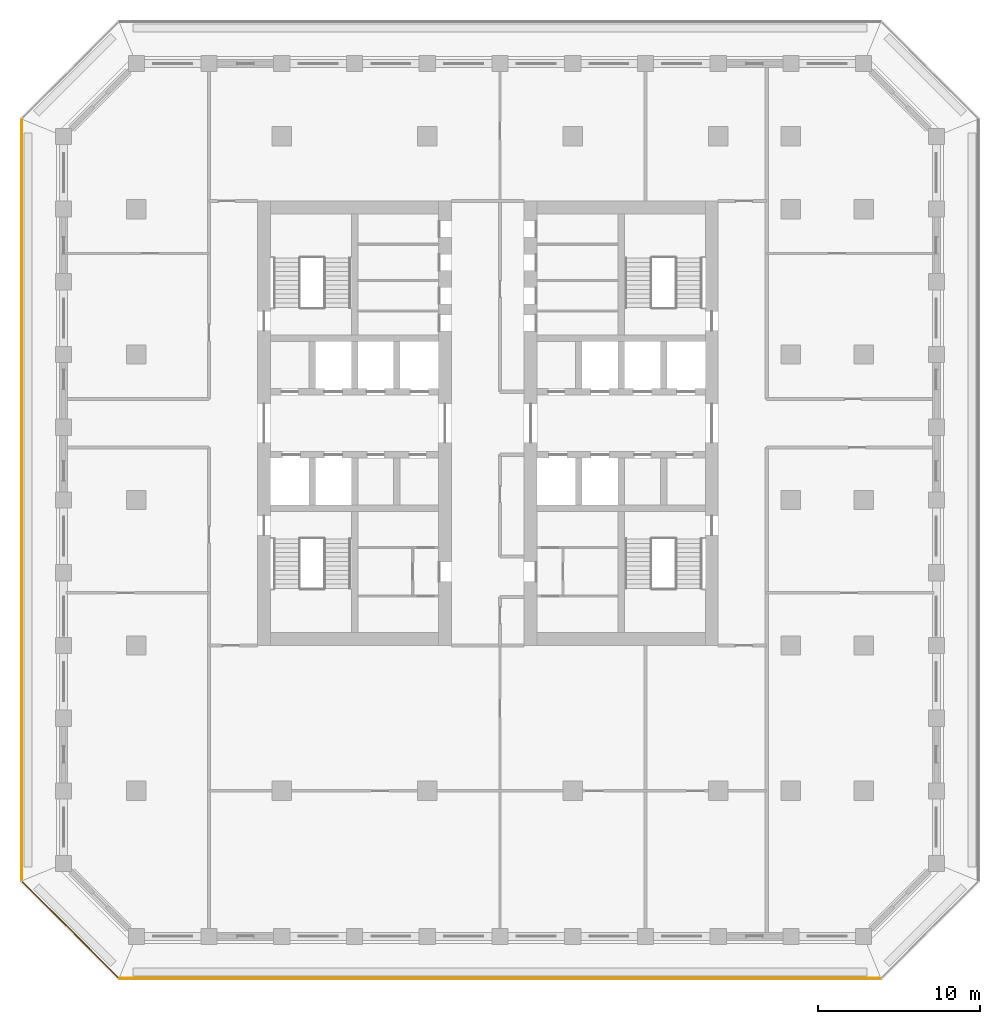
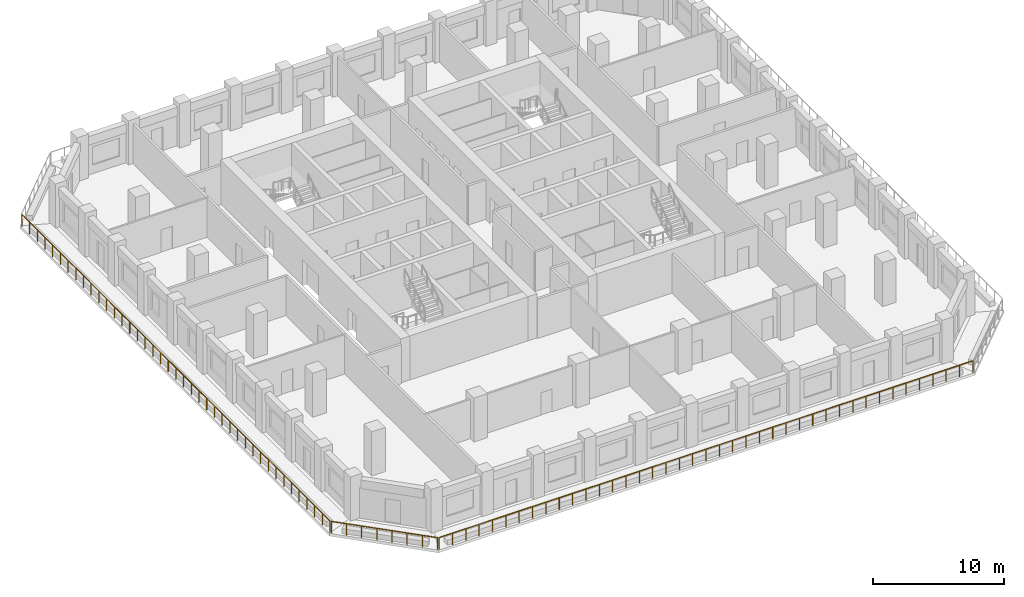
# One storey, part 9 of 16: 3 railings.
"""IFC4 building model written with IfcOpenShell, lengths in metres."""

from ifc_helpers import new_model, si_unit, direction, frame, origin, origin_2d, place, context, subcontext, project, spatial, circle, extrude, material, type_object, element, save


model = new_model("IFC4")

# Units and contexts
model_context = context("Model", 3, precision=1e-05, world=origin(), true_north=direction((0.0, 1.0)))
body_context = subcontext(model_context, "Body", "Model", "MODEL_VIEW")
ifc_project = project(units=[si_unit("LENGTHUNIT", "METRE"), si_unit("AREAUNIT", "SQUARE_METRE"), si_unit("VOLUMEUNIT", "CUBIC_METRE"), si_unit("PLANEANGLEUNIT", "RADIAN"), si_unit("MASSUNIT", "GRAM", prefix="KILO")], contexts=[model_context])

# Site, building, storey
site_placement = place(None, origin())
site = spatial("IfcSite", under=ifc_project, at=site_placement, CompositionType="ELEMENT")
building_placement = place(site_placement, origin())
building = spatial("IfcBuilding", under=site, at=building_placement, Name="Corbel Stack Research Tower", CompositionType="ELEMENT")
storey_placement = place(building_placement, frame((0.0, 0.0, 195.60009765625)))
storey = spatial("IfcBuildingStorey", under=building, at=storey_placement, Name="L44", CompositionType="ELEMENT", Elevation=195.60009765625)

# Railings
ifc_material = material(Name="Powder-coated steel guard", Category="steel")
railing_type = type_object("IfcRailingType", Name="Steel and glass guard 1100", PredefinedType="GUARDRAIL", material=ifc_material)
railing_1_placement = place(storey_placement, frame((-19.00537109375, -29.60009765625, 0.0)))
element("IfcRailing", 1, at=railing_1_placement, inside=storey, type_object=railing_type, Name="Loggia guard L44 S", PredefinedType="GUARDRAIL", context=body_context, shape_type="SweptSolid", body=[
    extrude(circle(Radius=0.02392578125, at=origin_2d()), frame((0.0, 0.0, 1.076171875), z_axis=(1.0, 0.0, 0.0), x_axis=(0.0, 1.0, 0.0)), (0.0, 0.0, 1.0), 47.0107421875),
    extrude(circle(Radius=0.02099609375, at=origin_2d()), origin(), (0.0, 0.0, 1.0), 1.052001953125),
    extrude(circle(Radius=0.02099609375, at=origin_2d()), frame((1.17529296875, 0.0, 0.0)), (0.0, 0.0, 1.0), 1.052001953125),
    extrude(circle(Radius=0.02099609375, at=origin_2d()), frame((2.3505859375, 0.0, 0.0)), (0.0, 0.0, 1.0), 1.052001953125),
    extrude(circle(Radius=0.02099609375, at=origin_2d()), frame((3.52587890625, 0.0, 0.0)), (0.0, 0.0, 1.0), 1.052001953125),
    extrude(circle(Radius=0.02099609375, at=origin_2d()), frame((4.701171875, 0.0, 0.0)), (0.0, 0.0, 1.0), 1.052001953125),
    extrude(circle(Radius=0.02099609375, at=origin_2d()), frame((5.87646484375, 0.0, 0.0)), (0.0, 0.0, 1.0), 1.052001953125),
    extrude(circle(Radius=0.02099609375, at=origin_2d()), frame((7.051513671875, 0.0, 0.0)), (0.0, 0.0, 1.0), 1.052001953125),
    extrude(circle(Radius=0.02099609375, at=origin_2d()), frame((8.226806640625, 0.0, 0.0)), (0.0, 0.0, 1.0), 1.052001953125),
    extrude(circle(Radius=0.02099609375, at=origin_2d()), frame((9.402099609375, 0.0, 0.0)), (0.0, 0.0, 1.0), 1.052001953125),
    extrude(circle(Radius=0.02099609375, at=origin_2d()), frame((10.577392578125, 0.0, 0.0)), (0.0, 0.0, 1.0), 1.052001953125),
    extrude(circle(Radius=0.02099609375, at=origin_2d()), frame((11.752685546875, 0.0, 0.0)), (0.0, 0.0, 1.0), 1.052001953125),
    extrude(circle(Radius=0.02099609375, at=origin_2d()), frame((12.927978515625, 0.0, 0.0)), (0.0, 0.0, 1.0), 1.052001953125),
    extrude(circle(Radius=0.02099609375, at=origin_2d()), frame((14.103271484375, 0.0, 0.0)), (0.0, 0.0, 1.0), 1.052001953125),
    extrude(circle(Radius=0.02099609375, at=origin_2d()), frame((15.278564453125, 0.0, 0.0)), (0.0, 0.0, 1.0), 1.052001953125),
    extrude(circle(Radius=0.02099609375, at=origin_2d()), frame((16.453857421875, 0.0, 0.0)), (0.0, 0.0, 1.0), 1.052001953125),
    extrude(circle(Radius=0.02099609375, at=origin_2d()), frame((17.62890625, 0.0, 0.0)), (0.0, 0.0, 1.0), 1.052001953125),
    extrude(circle(Radius=0.02099609375, at=origin_2d()), frame((18.80419921875, 0.0, 0.0)), (0.0, 0.0, 1.0), 1.052001953125),
    extrude(circle(Radius=0.02099609375, at=origin_2d()), frame((19.9794921875, 0.0, 0.0)), (0.0, 0.0, 1.0), 1.052001953125),
    extrude(circle(Radius=0.02099609375, at=origin_2d()), frame((21.15478515625, 0.0, 0.0)), (0.0, 0.0, 1.0), 1.052001953125),
    extrude(circle(Radius=0.02099609375, at=origin_2d()), frame((22.330078125, 0.0, 0.0)), (0.0, 0.0, 1.0), 1.052001953125),
    extrude(circle(Radius=0.02099609375, at=origin_2d()), frame((23.50537109375, 0.0, 0.0)), (0.0, 0.0, 1.0), 1.052001953125),
    extrude(circle(Radius=0.02099609375, at=origin_2d()), frame((24.6806640625, 0.0, 0.0)), (0.0, 0.0, 1.0), 1.052001953125),
    extrude(circle(Radius=0.02099609375, at=origin_2d()), frame((25.85595703125, 0.0, 0.0)), (0.0, 0.0, 1.0), 1.052001953125),
    extrude(circle(Radius=0.02099609375, at=origin_2d()), frame((27.03125, 0.0, 0.0)), (0.0, 0.0, 1.0), 1.052001953125),
    extrude(circle(Radius=0.02099609375, at=origin_2d()), frame((28.20654296875, 0.0, 0.0)), (0.0, 0.0, 1.0), 1.052001953125),
    extrude(circle(Radius=0.02099609375, at=origin_2d()), frame((29.3818359375, 0.0, 0.0)), (0.0, 0.0, 1.0), 1.052001953125),
    extrude(circle(Radius=0.02099609375, at=origin_2d()), frame((30.556884765625, 0.0, 0.0)), (0.0, 0.0, 1.0), 1.052001953125),
    extrude(circle(Radius=0.02099609375, at=origin_2d()), frame((31.732177734375, 0.0, 0.0)), (0.0, 0.0, 1.0), 1.052001953125),
    extrude(circle(Radius=0.02099609375, at=origin_2d()), frame((32.907470703125, 0.0, 0.0)), (0.0, 0.0, 1.0), 1.052001953125),
    extrude(circle(Radius=0.02099609375, at=origin_2d()), frame((34.082763671875, 0.0, 0.0)), (0.0, 0.0, 1.0), 1.052001953125),
    extrude(circle(Radius=0.02099609375, at=origin_2d()), frame((35.258056640625, 0.0, 0.0)), (0.0, 0.0, 1.0), 1.052001953125),
    extrude(circle(Radius=0.02099609375, at=origin_2d()), frame((36.433349609375, 0.0, 0.0)), (0.0, 0.0, 1.0), 1.052001953125),
    extrude(circle(Radius=0.02099609375, at=origin_2d()), frame((37.608642578125, 0.0, 0.0)), (0.0, 0.0, 1.0), 1.052001953125),
    extrude(circle(Radius=0.02099609375, at=origin_2d()), frame((38.783935546875, 0.0, 0.0)), (0.0, 0.0, 1.0), 1.052001953125),
    extrude(circle(Radius=0.02099609375, at=origin_2d()), frame((39.959228515625, 0.0, 0.0)), (0.0, 0.0, 1.0), 1.052001953125),
    extrude(circle(Radius=0.02099609375, at=origin_2d()), frame((41.13427734375, 0.0, 0.0)), (0.0, 0.0, 1.0), 1.052001953125),
    extrude(circle(Radius=0.02099609375, at=origin_2d()), frame((42.3095703125, 0.0, 0.0)), (0.0, 0.0, 1.0), 1.052001953125),
    extrude(circle(Radius=0.02099609375, at=origin_2d()), frame((43.48486328125, 0.0, 0.0)), (0.0, 0.0, 1.0), 1.052001953125),
    extrude(circle(Radius=0.02099609375, at=origin_2d()), frame((44.66015625, 0.0, 0.0)), (0.0, 0.0, 1.0), 1.052001953125),
    extrude(circle(Radius=0.02099609375, at=origin_2d()), frame((45.83544921875, 0.0, 0.0)), (0.0, 0.0, 1.0), 1.052001953125),
    extrude(circle(Radius=0.02099609375, at=origin_2d()), frame((47.0107421875, 0.0, 0.0)), (0.0, 0.0, 1.0), 1.052001953125),
])
railing_2_placement = place(storey_placement, frame((-25.10009765625, 23.50537109375, 0.0)))
element("IfcRailing", 2, at=railing_2_placement, inside=storey, type_object=railing_type, Name="Loggia guard L44 W", PredefinedType="GUARDRAIL", context=body_context, shape_type="SweptSolid", body=[
    extrude(circle(Radius=0.02392578125, at=origin_2d()), frame((0.0, 0.0, 1.076171875), z_axis=(0.0, -1.0, 0.0), x_axis=(1.0, 0.0, 0.0)), (0.0, 0.0, 1.0), 47.0107421875),
    extrude(circle(Radius=0.02099609375, at=origin_2d()), origin(), (0.0, 0.0, 1.0), 1.052001953125),
    extrude(circle(Radius=0.02099609375, at=origin_2d()), frame((0.0, -1.17529296875, 0.0)), (0.0, 0.0, 1.0), 1.052001953125),
    extrude(circle(Radius=0.02099609375, at=origin_2d()), frame((0.0, -2.3505859375, 0.0)), (0.0, 0.0, 1.0), 1.052001953125),
    extrude(circle(Radius=0.02099609375, at=origin_2d()), frame((0.0, -3.52587890625, 0.0)), (0.0, 0.0, 1.0), 1.052001953125),
    extrude(circle(Radius=0.02099609375, at=origin_2d()), frame((0.0, -4.701171875, 0.0)), (0.0, 0.0, 1.0), 1.052001953125),
    extrude(circle(Radius=0.02099609375, at=origin_2d()), frame((0.0, -5.87646484375, 0.0)), (0.0, 0.0, 1.0), 1.052001953125),
    extrude(circle(Radius=0.02099609375, at=origin_2d()), frame((0.0, -7.051513671875, 0.0)), (0.0, 0.0, 1.0), 1.052001953125),
    extrude(circle(Radius=0.02099609375, at=origin_2d()), frame((0.0, -8.226806640625, 0.0)), (0.0, 0.0, 1.0), 1.052001953125),
    extrude(circle(Radius=0.02099609375, at=origin_2d()), frame((0.0, -9.402099609375, 0.0)), (0.0, 0.0, 1.0), 1.052001953125),
    extrude(circle(Radius=0.02099609375, at=origin_2d()), frame((0.0, -10.577392578125, 0.0)), (0.0, 0.0, 1.0), 1.052001953125),
    extrude(circle(Radius=0.02099609375, at=origin_2d()), frame((0.0, -11.752685546875, 0.0)), (0.0, 0.0, 1.0), 1.052001953125),
    extrude(circle(Radius=0.02099609375, at=origin_2d()), frame((0.0, -12.927978515625, 0.0)), (0.0, 0.0, 1.0), 1.052001953125),
    extrude(circle(Radius=0.02099609375, at=origin_2d()), frame((0.0, -14.103271484375, 0.0)), (0.0, 0.0, 1.0), 1.052001953125),
    extrude(circle(Radius=0.02099609375, at=origin_2d()), frame((0.0, -15.278564453125, 0.0)), (0.0, 0.0, 1.0), 1.052001953125),
    extrude(circle(Radius=0.02099609375, at=origin_2d()), frame((0.0, -16.453857421875, 0.0)), (0.0, 0.0, 1.0), 1.052001953125),
    extrude(circle(Radius=0.02099609375, at=origin_2d()), frame((0.0, -17.62890625, 0.0)), (0.0, 0.0, 1.0), 1.052001953125),
    extrude(circle(Radius=0.02099609375, at=origin_2d()), frame((0.0, -18.80419921875, 0.0)), (0.0, 0.0, 1.0), 1.052001953125),
    extrude(circle(Radius=0.02099609375, at=origin_2d()), frame((0.0, -19.9794921875, 0.0)), (0.0, 0.0, 1.0), 1.052001953125),
    extrude(circle(Radius=0.02099609375, at=origin_2d()), frame((0.0, -21.15478515625, 0.0)), (0.0, 0.0, 1.0), 1.052001953125),
    extrude(circle(Radius=0.02099609375, at=origin_2d()), frame((0.0, -22.330078125, 0.0)), (0.0, 0.0, 1.0), 1.052001953125),
    extrude(circle(Radius=0.02099609375, at=origin_2d()), frame((0.0, -23.50537109375, 0.0)), (0.0, 0.0, 1.0), 1.052001953125),
    extrude(circle(Radius=0.02099609375, at=origin_2d()), frame((0.0, -24.6806640625, 0.0)), (0.0, 0.0, 1.0), 1.052001953125),
    extrude(circle(Radius=0.02099609375, at=origin_2d()), frame((0.0, -25.85595703125, 0.0)), (0.0, 0.0, 1.0), 1.052001953125),
    extrude(circle(Radius=0.02099609375, at=origin_2d()), frame((0.0, -27.03125, 0.0)), (0.0, 0.0, 1.0), 1.052001953125),
    extrude(circle(Radius=0.02099609375, at=origin_2d()), frame((0.0, -28.20654296875, 0.0)), (0.0, 0.0, 1.0), 1.052001953125),
    extrude(circle(Radius=0.02099609375, at=origin_2d()), frame((0.0, -29.3818359375, 0.0)), (0.0, 0.0, 1.0), 1.052001953125),
    extrude(circle(Radius=0.02099609375, at=origin_2d()), frame((0.0, -30.556884765625, 0.0)), (0.0, 0.0, 1.0), 1.052001953125),
    extrude(circle(Radius=0.02099609375, at=origin_2d()), frame((0.0, -31.732177734375, 0.0)), (0.0, 0.0, 1.0), 1.052001953125),
    extrude(circle(Radius=0.02099609375, at=origin_2d()), frame((0.0, -32.907470703125, 0.0)), (0.0, 0.0, 1.0), 1.052001953125),
    extrude(circle(Radius=0.02099609375, at=origin_2d()), frame((0.0, -34.082763671875, 0.0)), (0.0, 0.0, 1.0), 1.052001953125),
    extrude(circle(Radius=0.02099609375, at=origin_2d()), frame((0.0, -35.258056640625, 0.0)), (0.0, 0.0, 1.0), 1.052001953125),
    extrude(circle(Radius=0.02099609375, at=origin_2d()), frame((0.0, -36.433349609375, 0.0)), (0.0, 0.0, 1.0), 1.052001953125),
    extrude(circle(Radius=0.02099609375, at=origin_2d()), frame((0.0, -37.608642578125, 0.0)), (0.0, 0.0, 1.0), 1.052001953125),
    extrude(circle(Radius=0.02099609375, at=origin_2d()), frame((0.0, -38.783935546875, 0.0)), (0.0, 0.0, 1.0), 1.052001953125),
    extrude(circle(Radius=0.02099609375, at=origin_2d()), frame((0.0, -39.959228515625, 0.0)), (0.0, 0.0, 1.0), 1.052001953125),
    extrude(circle(Radius=0.02099609375, at=origin_2d()), frame((0.0, -41.13427734375, 0.0)), (0.0, 0.0, 1.0), 1.052001953125),
    extrude(circle(Radius=0.02099609375, at=origin_2d()), frame((0.0, -42.3095703125, 0.0)), (0.0, 0.0, 1.0), 1.052001953125),
    extrude(circle(Radius=0.02099609375, at=origin_2d()), frame((0.0, -43.48486328125, 0.0)), (0.0, 0.0, 1.0), 1.052001953125),
    extrude(circle(Radius=0.02099609375, at=origin_2d()), frame((0.0, -44.66015625, 0.0)), (0.0, 0.0, 1.0), 1.052001953125),
    extrude(circle(Radius=0.02099609375, at=origin_2d()), frame((0.0, -45.83544921875, 0.0)), (0.0, 0.0, 1.0), 1.052001953125),
    extrude(circle(Radius=0.02099609375, at=origin_2d()), frame((0.0, -47.0107421875, 0.0)), (0.0, 0.0, 1.0), 1.052001953125),
])
railing_3_placement = place(storey_placement, frame((-25.04931640625, -23.627685546875, 0.0)))
element("IfcRailing", 3, at=railing_3_placement, inside=storey, type_object=railing_type, Name="Loggia guard L44 SW", PredefinedType="GUARDRAIL", context=body_context, shape_type="SweptSolid", body=[
    extrude(circle(Radius=0.02392578125, at=origin_2d()), frame((0.0, 0.0, 1.076171875), z_axis=(0.707106781187, -0.707106781187, 0.0), x_axis=(0.707106781187, 0.707106781187, 0.0)), (0.0, 0.0, 1.0), 8.37451171875),
    extrude(circle(Radius=0.02099609375, at=origin_2d()), origin(), (0.0, 0.0, 1.0), 1.052001953125),
    extrude(circle(Radius=0.02099609375, at=origin_2d()), frame((0.845947265625, -0.845947265625, 0.0)), (0.0, 0.0, 1.0), 1.052001953125),
    extrude(circle(Radius=0.02099609375, at=origin_2d()), frame((1.69189453125, -1.69189453125, 0.0)), (0.0, 0.0, 1.0), 1.052001953125),
    extrude(circle(Radius=0.02099609375, at=origin_2d()), frame((2.537841796875, -2.537841796875, 0.0)), (0.0, 0.0, 1.0), 1.052001953125),
    extrude(circle(Radius=0.02099609375, at=origin_2d()), frame((3.3837890625, -3.3837890625, 0.0)), (0.0, 0.0, 1.0), 1.052001953125),
    extrude(circle(Radius=0.02099609375, at=origin_2d()), frame((4.229736328125, -4.229736328125, 0.0)), (0.0, 0.0, 1.0), 1.052001953125),
    extrude(circle(Radius=0.02099609375, at=origin_2d()), frame((5.07568359375, -5.07568359375, 0.0)), (0.0, 0.0, 1.0), 1.052001953125),
    extrude(circle(Radius=0.02099609375, at=origin_2d()), frame((5.921630859375, -5.921630859375, 0.0)), (0.0, 0.0, 1.0), 1.052001953125),
])

save(model, "model.ifc")
